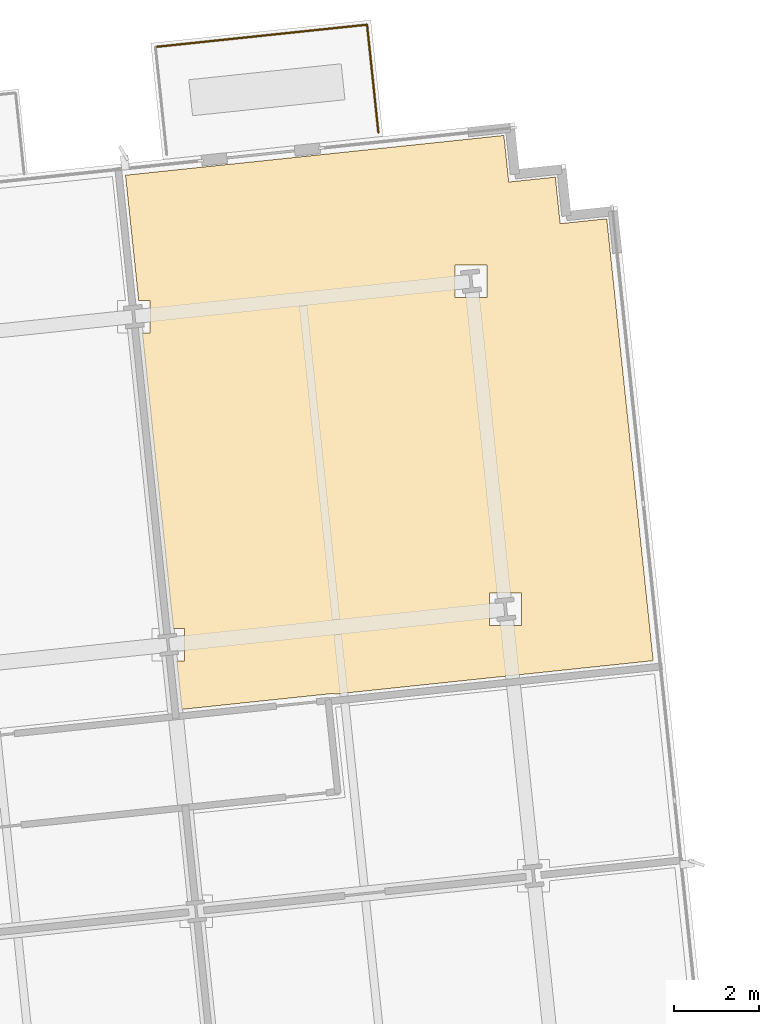
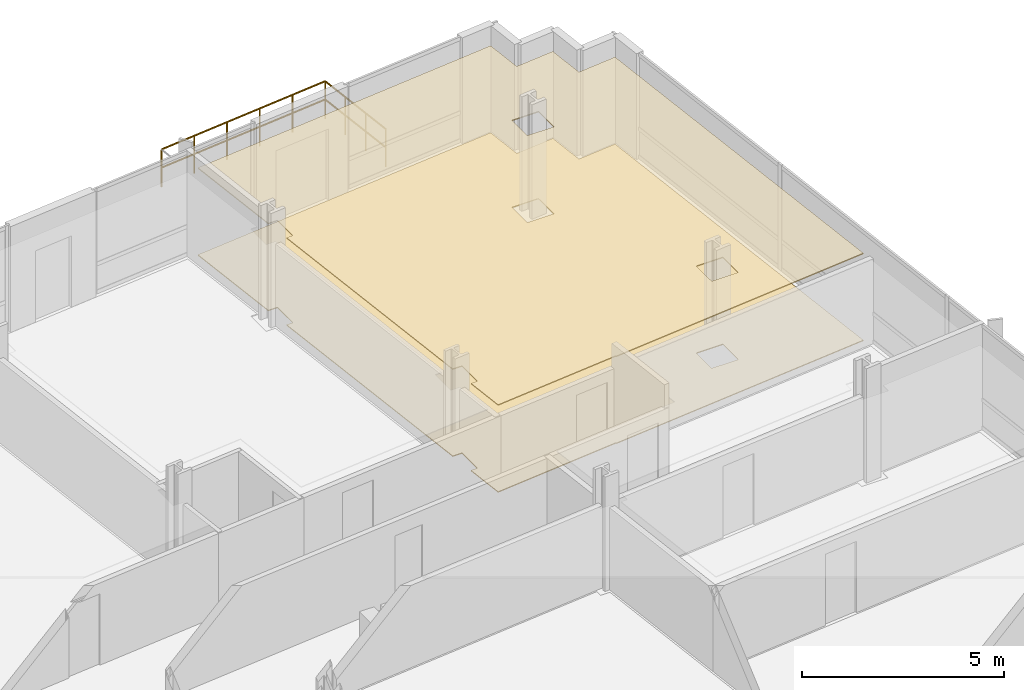
# One storey, part 20 of 21: 2 coverings, 2 railings.
"""IFC4 building model written with IfcOpenShell, lengths in metres."""

from ifc_helpers import new_model, si_unit, direction, frame, origin, origin_2d, place, context, subcontext, project, spatial, polyline, circle, outline, extrude, material, layer, layer_set, type_object, element, save


model = new_model("IFC4")

# Units and contexts
model_context = context("Model", 3, precision=1e-05, world=origin(), true_north=direction((0.0, 1.0)))
body_context = subcontext(model_context, "Body", "Model", "MODEL_VIEW")
ifc_project = project(units=[si_unit("LENGTHUNIT", "METRE"), si_unit("AREAUNIT", "SQUARE_METRE"), si_unit("VOLUMEUNIT", "CUBIC_METRE"), si_unit("PLANEANGLEUNIT", "RADIAN"), si_unit("MASSUNIT", "GRAM", prefix="KILO")], contexts=[model_context])

# Site, building, storey
site_placement = place(None, origin())
site = spatial("IfcSite", under=ifc_project, at=site_placement, CompositionType="ELEMENT")
building_placement = place(site_placement, origin())
building = spatial("IfcBuilding", under=site, at=building_placement, Name="Solmavex Isthmus Hotel", CompositionType="ELEMENT")
storey_placement = place(building_placement, frame((0.0, 0.0, 106.35009765625)))
storey = spatial("IfcBuildingStorey", under=building, at=storey_placement, Name="L28", CompositionType="ELEMENT", Elevation=106.35009765625)

# Coverings
ifc_material_1 = material(Name="Gypsum plasterboard lining", Category="gypsum")
ifc_layer_1 = layer(ifc_material_1, 0.030029296875)
ifc_layer_set_1 = layer_set([ifc_layer_1], Name="Gypsum plasterboard lining")
covering_type_1 = type_object("IfcCoveringType", Name="COV-CEIL-GYP", PredefinedType="CEILING", material=ifc_layer_set_1)
covering_1_placement = place(storey_placement, frame((0.0, 0.0, 2.619873046875)))
element("IfcCovering", 1, at=covering_1_placement, inside=storey, type_object=covering_type_1, Name="Suspended Acoustic Ceiling L28-RM05", PredefinedType="CEILING", context=body_context, shape_type="SweptSolid", body=[
    extrude(outline(polyline([(20.67724609375, 12.3017578125), (20.94140625, 12.3017578125), (20.94140625, 11.541748046875), (20.75732421875, 11.541748046875), (20.876953125, 10.403564453125), (24.45703125, 10.77978515625), (24.459228515625, 10.760009765625), (31.955810546875, 11.5478515625), (30.950927734375, 21.110107421875), (30.86474609375, 21.9306640625), (29.770751953125, 21.815673828125), (29.65576171875, 22.90966796875), (28.561767578125, 22.794677734375), (28.44677734375, 23.888671875), (27.626220703125, 23.802490234375), (19.5576171875, 22.954345703125), (19.866943359375, 20.011474609375), (20.131103515625, 20.011474609375), (20.131103515625, 19.25146484375), (19.947021484375, 19.25146484375), (20.67724609375, 12.3017578125)]), holes=[polyline([(28.105712890625, 12.374755859375), (28.105712890625, 13.134765625), (28.86572265625, 13.134765625), (28.86572265625, 12.374755859375), (28.105712890625, 12.374755859375)]), polyline([(27.29541015625, 20.84423828125), (28.055419921875, 20.84423828125), (28.055419921875, 20.084228515625), (27.29541015625, 20.084228515625), (27.29541015625, 20.84423828125)])]), origin(), (0.0, 0.0, 1.0), 0.030029296875),
])
ifc_material_2 = material(Name="Travertine natural stone", Category="masonry")
ifc_layer_2 = layer(ifc_material_2, 0.02490234375)
ifc_layer_set_2 = layer_set([ifc_layer_2], Name="Travertine natural stone")
covering_type_2 = type_object("IfcCoveringType", Name="COV-FLOR-STN", PredefinedType="FLOORING", material=ifc_layer_set_2)
covering_2_placement = place(storey_placement, origin())
element("IfcCovering", 2, at=covering_2_placement, inside=storey, type_object=covering_type_2, Name="Stone and Timber Floor Finish L28-RM05", PredefinedType="FLOORING", context=body_context, shape_type="SweptSolid", body=[
    extrude(outline(polyline([(20.67724609375, 12.3017578125), (20.94140625, 12.3017578125), (20.94140625, 11.541748046875), (20.75732421875, 11.541748046875), (20.876953125, 10.403564453125), (24.45703125, 10.77978515625), (24.459228515625, 10.760009765625), (31.955810546875, 11.5478515625), (30.950927734375, 21.110107421875), (30.86474609375, 21.9306640625), (29.770751953125, 21.815673828125), (29.65576171875, 22.90966796875), (28.561767578125, 22.794677734375), (28.44677734375, 23.888671875), (27.626220703125, 23.802490234375), (19.5576171875, 22.954345703125), (19.866943359375, 20.011474609375), (20.131103515625, 20.011474609375), (20.131103515625, 19.25146484375), (19.947021484375, 19.25146484375), (20.67724609375, 12.3017578125)]), holes=[polyline([(28.105712890625, 12.374755859375), (28.105712890625, 13.134765625), (28.86572265625, 13.134765625), (28.86572265625, 12.374755859375), (28.105712890625, 12.374755859375)]), polyline([(27.29541015625, 20.84423828125), (28.055419921875, 20.84423828125), (28.055419921875, 20.084228515625), (27.29541015625, 20.084228515625), (27.29541015625, 20.84423828125)])]), origin(), (0.0, 0.0, 1.0), 0.02490234375),
])

# Railings
ifc_material_3 = material(Name="Clear low-E laminated glass", Category="glass")
ifc_layer_3 = layer(ifc_material_3, 0.080078125)
ifc_layer_set_3 = layer_set([ifc_layer_3], Name="Clear low-E laminated glass")
railing_type = type_object("IfcRailingType", Name="RAIL-ATRIUM-1120", PredefinedType="BALUSTRADE", material=ifc_layer_set_3)
railing_1_placement = place(storey_placement, frame((20.259521484375, 25.96923828125, 0.0)))
element("IfcRailing", 3, at=railing_1_placement, inside=storey, type_object=railing_type, Name="Guardrail Balustrade L28-SG1-02", PredefinedType="BALUSTRADE", context=body_context, shape_type="SweptSolid", body=[
    extrude(circle(Radius=0.02392578125, at=origin_2d()), frame((0.0, 0.0, 1.1259765625), z_axis=(0.994520158979, 0.104544982588, 0.0), x_axis=(-0.104544982588, 0.994520158979, 0.0)), (0.0, 0.0, 1.0), 4.999755859375),
    extrude(circle(Radius=0.02392578125, at=origin_2d()), frame((0.0, 0.0, 0.574951171875), z_axis=(0.994520158979, 0.104544982588, 0.0), x_axis=(-0.104544982588, 0.994520158979, 0.0)), (0.0, 0.0, 1.0), 4.999755859375),
    extrude(circle(Radius=0.02099609375, at=origin_2d()), origin(), (0.0, 0.0, 1.0), 1.101806640625),
    extrude(circle(Radius=0.02099609375, at=origin_2d()), frame((0.994384765625, 0.1044921875, 0.0)), (0.0, 0.0, 1.0), 1.101806640625),
    extrude(circle(Radius=0.02099609375, at=origin_2d()), frame((1.989013671875, 0.208984375, 0.0)), (0.0, 0.0, 1.0), 1.101806640625),
    extrude(circle(Radius=0.02099609375, at=origin_2d()), frame((2.9833984375, 0.313720703125, 0.0)), (0.0, 0.0, 1.0), 1.101806640625),
    extrude(circle(Radius=0.02099609375, at=origin_2d()), frame((3.97802734375, 0.418212890625, 0.0)), (0.0, 0.0, 1.0), 1.101806640625),
    extrude(circle(Radius=0.02099609375, at=origin_2d()), frame((4.972412109375, 0.522705078125, 0.0)), (0.0, 0.0, 1.0), 1.101806640625),
])
railing_2_placement = place(storey_placement, frame((25.23193359375, 26.491943359375, 0.0)))
element("IfcRailing", 4, at=railing_2_placement, inside=storey, type_object=railing_type, Name="Guardrail Balustrade L28-SG1-03", PredefinedType="BALUSTRADE", context=body_context, shape_type="SweptSolid", body=[
    extrude(circle(Radius=0.02392578125, at=origin_2d()), frame((0.0, 0.0, 1.1259765625), z_axis=(0.104585074202, -0.99451594369, 0.0), x_axis=(0.99451594369, 0.104585074202, 0.0)), (0.0, 0.0, 1.0), 2.549072265625),
    extrude(circle(Radius=0.02392578125, at=origin_2d()), frame((0.0, 0.0, 0.574951171875), z_axis=(0.104585074202, -0.99451594369, 0.0), x_axis=(0.99451594369, 0.104585074202, 0.0)), (0.0, 0.0, 1.0), 2.549072265625),
    extrude(circle(Radius=0.02099609375, at=origin_2d()), origin(), (0.0, 0.0, 1.0), 1.101806640625),
    extrude(circle(Radius=0.02099609375, at=origin_2d()), frame((0.0888671875, -0.844970703125, 0.0)), (0.0, 0.0, 1.0), 1.101806640625),
    extrude(circle(Radius=0.02099609375, at=origin_2d()), frame((0.177734375, -1.690185546875, 0.0)), (0.0, 0.0, 1.0), 1.101806640625),
    extrude(circle(Radius=0.02099609375, at=origin_2d()), frame((0.2666015625, -2.53515625, 0.0)), (0.0, 0.0, 1.0), 1.101806640625),
])

save(model, "model.ifc")
